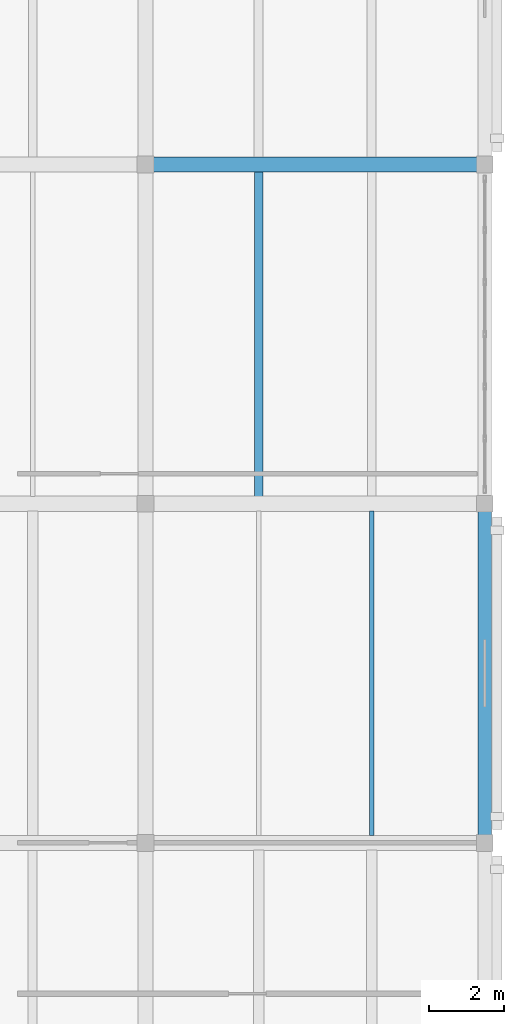
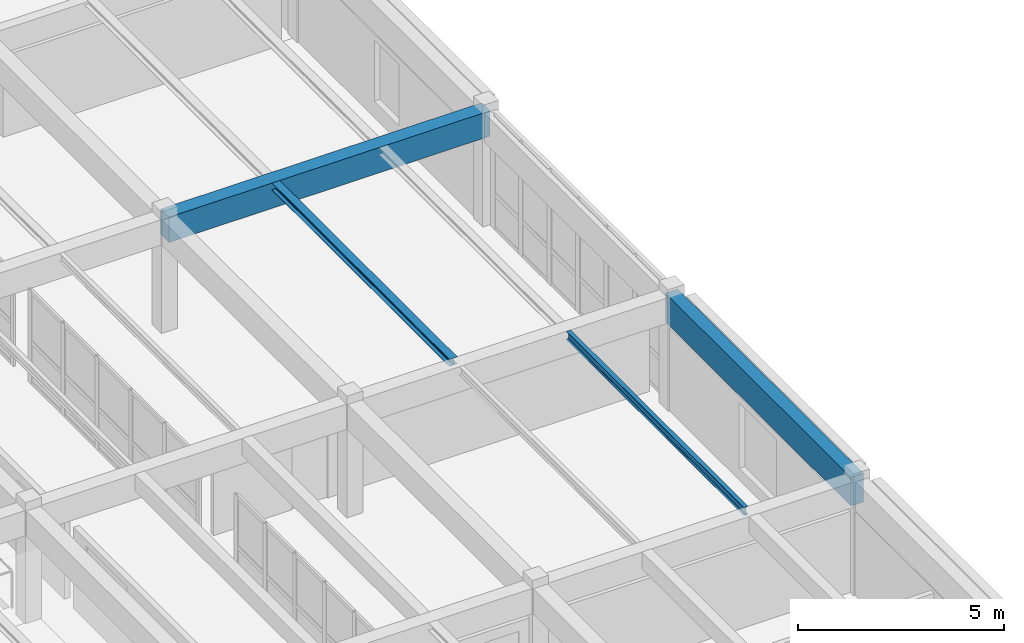
# One storey, part 44 of 80: 4 beams.
"""IFC4 building model written with IfcOpenShell, lengths in metres."""

import ifcopenshell
import ifcopenshell.guid

model = None  # the IFC model being written
_history = None  # IfcOwnerHistory: only IFC2X3 demands one
_inside = {}  # id of a spatial element -> (the spatial element, [elements in it])
_under = {}  # id of a project, library or spatial element -> (it, [spatial elements below it])
_declared = {}  # id of a project -> (the project, [libraries it declares])
_typed = {}  # id of a type object -> (the type object, [elements of that type])
_made_of = {}  # id of a material, layer set ... -> (it, [elements and type objects made of it])


def new_model(schema):
    """Start an empty IFC model of exactly this schema.

    Asked for "IFC4X3", IfcOpenShell would pick the latest addendum, in which some entities
    have other attributes; the version numbers below select the first issue.
    IFC2X3 requires an IfcOwnerHistory on every rooted entity: one is made here for all.
    """
    global model, _history
    if schema == "IFC4X3":
        model = ifcopenshell.file(schema_version=(4, 3, 0, 0))
    else:
        model = ifcopenshell.file(schema=schema)
    _inside.clear()
    _under.clear()
    _declared.clear()
    _typed.clear()
    _made_of.clear()
    _history = None
    if model.schema == "IFC2X3":
        org = make("IfcOrganization", Name="unknown")
        user = make(
            "IfcPersonAndOrganization",
            ThePerson=make("IfcPerson", FamilyName="unknown"),
            TheOrganization=org,
        )
        app = make(
            "IfcApplication",
            ApplicationDeveloper=org,
            Version="unknown",
            ApplicationFullName="unknown",
            ApplicationIdentifier="unknown",
        )
        _history = make(
            "IfcOwnerHistory",
            OwningUser=user,
            OwningApplication=app,
            ChangeAction="ADDED",
            CreationDate=0,
        )
    return model


def make(cls, **values):
    """One entity of the class cls with the attributes given. An attribute that is None is left unset."""
    return model.create_entity(
        cls, **{name: value for name, value in values.items() if value is not None}
    )


def rooted(cls, **values):
    """An entity with a GlobalId (a new one), such as an element, a storey or a relation."""
    return make(cls, GlobalId=ifcopenshell.guid.new(), OwnerHistory=_history, **values)


def si_unit(unit_type, name, prefix=None):
    """IfcSIUnit, for example si_unit("LENGTHUNIT", "METRE", prefix="MILLI")."""
    return make("IfcSIUnit", UnitType=unit_type, Prefix=prefix, Name=name)


def assignment(units):
    """IfcUnitAssignment: the units of a project."""
    return None if units is None else make("IfcUnitAssignment", Units=units)


def point(xyz):
    """IfcCartesianPoint."""
    return None if xyz is None else make("IfcCartesianPoint", Coordinates=xyz)


def direction(xyz):
    """IfcDirection."""
    return None if xyz is None else make("IfcDirection", DirectionRatios=xyz)


def frame(location, z_axis=None, x_axis=None):
    """IfcAxis2Placement3D, a coordinate frame: its origin and axes. An axis left out is left unset."""
    return make(
        "IfcAxis2Placement3D",
        Location=point(location),
        Axis=direction(z_axis),
        RefDirection=direction(x_axis),
    )


def frame_2d(location, x_axis=None):
    """IfcAxis2Placement2D, a coordinate frame in the plane: its origin and x axis."""
    return make(
        "IfcAxis2Placement2D", Location=point(location), RefDirection=direction(x_axis)
    )


def origin():
    """The frame at (0, 0, 0) with its axes left unset."""
    return frame((0.0, 0.0, 0.0))


def origin_2d():
    """The frame at (0, 0) in the plane with its x axis left unset."""
    return frame_2d((0.0, 0.0))


def place(relative_to, where):
    """IfcLocalPlacement: puts the frame where relative to a parent placement (None: the world)."""
    return make(
        "IfcLocalPlacement", PlacementRelTo=relative_to, RelativePlacement=where
    )


def context(
    kind, dimensions, precision=None, world=None, true_north=None, identifier=None
):
    """IfcGeometricRepresentationContext, for example the 3D "Model" context."""
    return make(
        "IfcGeometricRepresentationContext",
        ContextIdentifier=identifier,
        ContextType=kind,
        CoordinateSpaceDimension=dimensions,
        Precision=precision,
        WorldCoordinateSystem=world,
        TrueNorth=true_north,
    )


def subcontext(parent, identifier, kind, view, scale=None):
    """IfcGeometricRepresentationSubContext, for example "Body" below "Model"."""
    return make(
        "IfcGeometricRepresentationSubContext",
        ContextIdentifier=identifier,
        ContextType=kind,
        ParentContext=parent,
        TargetScale=scale,
        TargetView=view,
    )


def project(units=None, contexts=None):
    """IfcProject with its units and contexts."""
    return rooted(
        "IfcProject",
        Name="project",
        RepresentationContexts=contexts,
        UnitsInContext=assignment(units),
    )


def spatial(cls, under=None, at=None, **own):
    """A site, building, storey or space (cls), placed at a placement, below another one or the project."""
    s = rooted(cls, ObjectPlacement=at, **own)
    if under is not None:
        _under.setdefault(under.id(), (under, []))[1].append(s)
    return s


def profile(cls, at=None, kind="AREA", **sizes):
    """A parametric profile (cls). Its sizes go by their IFC names, for example OverallWidth=200.0."""
    return make(cls, ProfileType=kind, Position=at, **sizes)


def rectangle(**sizes):
    """IfcRectangleProfileDef."""
    return profile("IfcRectangleProfileDef", **sizes)


def i_section(**sizes):
    """IfcIShapeProfileDef."""
    return profile("IfcIShapeProfileDef", **sizes)


def extrude(swept, where, along, depth):
    """IfcExtrudedAreaSolid: the profile swept, set in the frame where, extruded along a direction by depth."""
    return make(
        "IfcExtrudedAreaSolid",
        SweptArea=swept,
        Position=where,
        ExtrudedDirection=direction(along),
        Depth=depth,
    )


def shape(context_of_items, identifier, shape_type, items):
    """IfcShapeRepresentation: the items that make up one representation, for example the "Body"."""
    return make(
        "IfcShapeRepresentation",
        ContextOfItems=context_of_items,
        RepresentationIdentifier=identifier,
        RepresentationType=shape_type,
        Items=items,
    )


def material(Name=None, Category=None):
    """IfcMaterial."""
    return make("IfcMaterial", Name=Name, Category=Category)


def material_profile(
    of_material, cross_section, Name=None, Category=None, Priority=None
):
    """IfcMaterialProfile: a cross section and its material."""
    return make(
        "IfcMaterialProfile",
        Name=Name,
        Material=of_material,
        Profile=cross_section,
        Priority=Priority,
        Category=Category,
    )


def profile_set(profiles, Name=None, composite=None):
    """IfcMaterialProfileSet."""
    return make(
        "IfcMaterialProfileSet",
        Name=Name,
        MaterialProfiles=profiles,
        CompositeProfile=composite,
    )


def made_of(thing, what):
    """Note that an element or type object is made of a material, layer set ...; save() writes the relation."""
    if what is not None:
        _made_of.setdefault(what.id(), (what, []))[1].append(thing)
    return thing


def type_object(cls, material=None, **own):
    """A type object (cls), such as IfcWallType, which elements share."""
    return made_of(rooted(cls, **own), material)


def element(
    cls,
    number,
    at=None,
    inside=None,
    cuts=None,
    type_object=None,
    material=None,
    context=None,
    identifier="Body",
    shape_type=None,
    held_by="IfcProductDefinitionShape",
    body=None,
    shapes=None,
    **own,
):
    """One element of the class cls, such as IfcWall. Its Tag is "e" and its number.

    at: its placement. inside: the storey or other place that contains it. cuts: it is an
    opening in that element (IfcRelVoidsElement). A single representation is given by context,
    identifier, shape_type and body (its items); several are given by shapes. held_by: the class
    of the entity that holds the representations. save() writes the other relations.
    """
    e = rooted(cls, Tag="e%d" % number, ObjectPlacement=at, **own)
    if body is not None:
        shapes = [shape(context, identifier, shape_type, body)]
    if shapes is not None:
        e.Representation = make(held_by, Representations=shapes)
    if inside is not None:
        _inside.setdefault(inside.id(), (inside, []))[1].append(e)
    if cuts is not None:
        rooted(
            "IfcRelVoidsElement", RelatingBuildingElement=cuts, RelatedOpeningElement=e
        )
    if type_object is not None:
        _typed.setdefault(type_object.id(), (type_object, []))[1].append(e)
    return made_of(e, material)


def aggregate(whole, parts):
    """IfcRelAggregates: a whole, such as a stair, and the parts it consists of."""
    return rooted("IfcRelAggregates", RelatingObject=whole, RelatedObjects=parts)


def save(model, path):
    """Write the relations noted so far, then the file.

    IfcRelAggregates (storeys below a building ...), IfcRelContainedInSpatialStructure (elements
    in a storey), IfcRelDefinesByType, IfcRelAssociatesMaterial and IfcRelDeclares: one each for
    every whole, place, type object, material and project.
    """
    for whole, parts in _under.values():
        aggregate(whole, parts)
    for where, things in _inside.values():
        rooted(
            "IfcRelContainedInSpatialStructure",
            RelatedElements=things,
            RelatingStructure=where,
        )
    for kind, things in _typed.values():
        rooted("IfcRelDefinesByType", RelatedObjects=things, RelatingType=kind)
    for what, things in _made_of.values():
        rooted("IfcRelAssociatesMaterial", RelatedObjects=things, RelatingMaterial=what)
    for by, libraries in _declared.values():
        rooted("IfcRelDeclares", RelatingContext=by, RelatedDefinitions=libraries)
    model.write(path)


model = new_model("IFC4")

# Units and contexts
model_context = context("Model", 3, precision=1e-05, world=origin(), true_north=direction((0.0, 1.0)))
body_context = subcontext(model_context, "Body", "Model", "MODEL_VIEW")
ifc_project = project(units=[si_unit("LENGTHUNIT", "METRE"), si_unit("AREAUNIT", "SQUARE_METRE"), si_unit("VOLUMEUNIT", "CUBIC_METRE"), si_unit("PLANEANGLEUNIT", "RADIAN"), si_unit("MASSUNIT", "GRAM", prefix="KILO")], contexts=[model_context])

# Site, building, storey
site_placement = place(None, origin())
site = spatial("IfcSite", under=ifc_project, at=site_placement, CompositionType="ELEMENT")
building_placement = place(site_placement, origin())
building = spatial("IfcBuilding", under=site, at=building_placement, Name="Ornek Quay Market", CompositionType="ELEMENT")
storey_placement = place(building_placement, frame((0.0, 0.0, 8.39990234375)))
storey = spatial("IfcBuildingStorey", under=building, at=storey_placement, Name="L02", CompositionType="ELEMENT", Elevation=8.39990234375)

# Beams
ifc_material_1 = material(Name="Concrete C35/45", Category="concrete")
ifc_material_profile_1 = material_profile(ifc_material_1, rectangle(XDim=0.39990234375, YDim=0.75, at=origin_2d()), Name="RC 400x750", Category="concrete")
ifc_profile_set_1 = profile_set([ifc_material_profile_1], Name="Concrete C35/45")
beam_type_1 = type_object("IfcBeamType", Name="BM-CS-400x750", PredefinedType="BEAM", material=ifc_profile_set_1)
beam_1_placement = place(storey_placement, frame((171.0, 56.0, 2.97509765625), z_axis=(1.0, 0.0, 0.0), x_axis=(0.0, 1.0, 0.0)))
element("IfcBeam", 1, at=beam_1_placement, inside=storey, type_object=beam_type_1, Name="Primary beam B-CS1-068", PredefinedType="BEAM", context=body_context, shape_type="SweptSolid", body=[
    extrude(rectangle(XDim=0.39990234375, YDim=0.75, at=origin_2d()), origin(), (0.0, 0.0, 1.0), 9.0),
])
ifc_material_2 = material(Name="Concrete C40/50", Category="concrete")
ifc_material_profile_2 = material_profile(ifc_material_2, rectangle(XDim=0.35009765625, YDim=0.85009765625, at=origin_2d()), Name="RC 350x850", Category="concrete")
ifc_profile_set_2 = profile_set([ifc_material_profile_2], Name="Concrete C40/50")
beam_type_2 = type_object("IfcBeamType", Name="BM-SPN-350x850", PredefinedType="SPANDREL", material=ifc_profile_set_2)
beam_2_placement = place(storey_placement, frame((180.0, 38.0, 2.925048828125), z_axis=(0.0, 1.0, 0.0), x_axis=(-1.0, 0.0, 0.0)))
element("IfcBeam", 2, at=beam_2_placement, inside=storey, type_object=beam_type_2, Name="Primary beam B-SP1-158", PredefinedType="SPANDREL", context=body_context, shape_type="SweptSolid", body=[
    extrude(rectangle(XDim=0.35009765625, YDim=0.85009765625, at=origin_2d()), origin(), (0.0, 0.0, 1.0), 9.0),
])
ifc_material_3 = material(Name="Steel S355", Category="steel")
ifc_material_profile_3 = material_profile(ifc_material_3, i_section(OverallWidth=0.219970703125, OverallDepth=0.2099609375, WebThickness=0.007080078125, FlangeThickness=0.010986328125, FilletRadius=0.01806640625, at=origin_2d()), Name="HEA 220", Category="steel")
ifc_profile_set_3 = profile_set([ifc_material_profile_3], Name="Steel S355")
beam_type_3 = type_object("IfcBeamType", Name="BM-STL-HEA220", PredefinedType="BEAM", material=ifc_profile_set_3)
beam_3_placement = place(storey_placement, frame((174.0, 47.19189453125, 3.2451171875), z_axis=(0.0, 1.0, 0.0), x_axis=(-1.0, 0.0, 0.0)))
element("IfcBeam", 3, at=beam_3_placement, inside=storey, type_object=beam_type_3, Name="Secondary joist SB-13-037", PredefinedType="BEAM", context=body_context, shape_type="SweptSolid", body=[
    extrude(i_section(OverallWidth=0.219970703125, OverallDepth=0.2099609375, WebThickness=0.007080078125, FlangeThickness=0.010986328125, FilletRadius=0.01806640625, at=origin_2d()), origin(), (0.0, 0.0, 1.0), 8.6162109375),
])
ifc_material_profile_4 = material_profile(ifc_material_3, i_section(OverallWidth=0.1201171875, OverallDepth=0.239990234375, WebThickness=0.006103515625, FlangeThickness=0.009765625, FilletRadius=0.014892578125, at=origin_2d()), Name="IPE 240", Category="steel")
ifc_profile_set_4 = profile_set([ifc_material_profile_4], Name="Steel S355")
beam_type_4 = type_object("IfcBeamType", Name="BM-STL-IPE240", PredefinedType="JOIST", material=ifc_profile_set_4)
beam_4_placement = place(storey_placement, frame((177.0, 38.19189453125, 3.22998046875), z_axis=(0.0, 1.0, 0.0), x_axis=(-1.0, 0.0, 0.0)))
element("IfcBeam", 4, at=beam_4_placement, inside=storey, type_object=beam_type_4, Name="Secondary joist SB-04-062", PredefinedType="JOIST", context=body_context, shape_type="SweptSolid", body=[
    extrude(i_section(OverallWidth=0.1201171875, OverallDepth=0.239990234375, WebThickness=0.006103515625, FlangeThickness=0.009765625, FilletRadius=0.014892578125, at=origin_2d()), origin(), (0.0, 0.0, 1.0), 8.6162109375),
])

save(model, "model.ifc")
